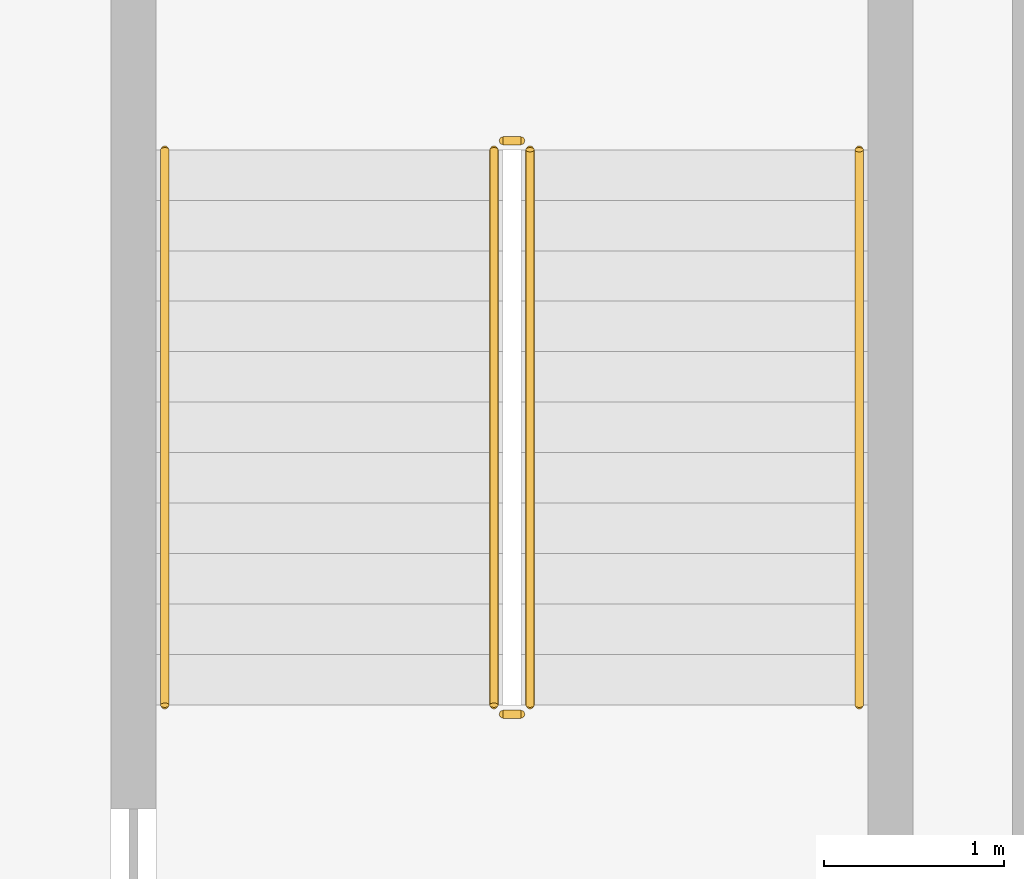
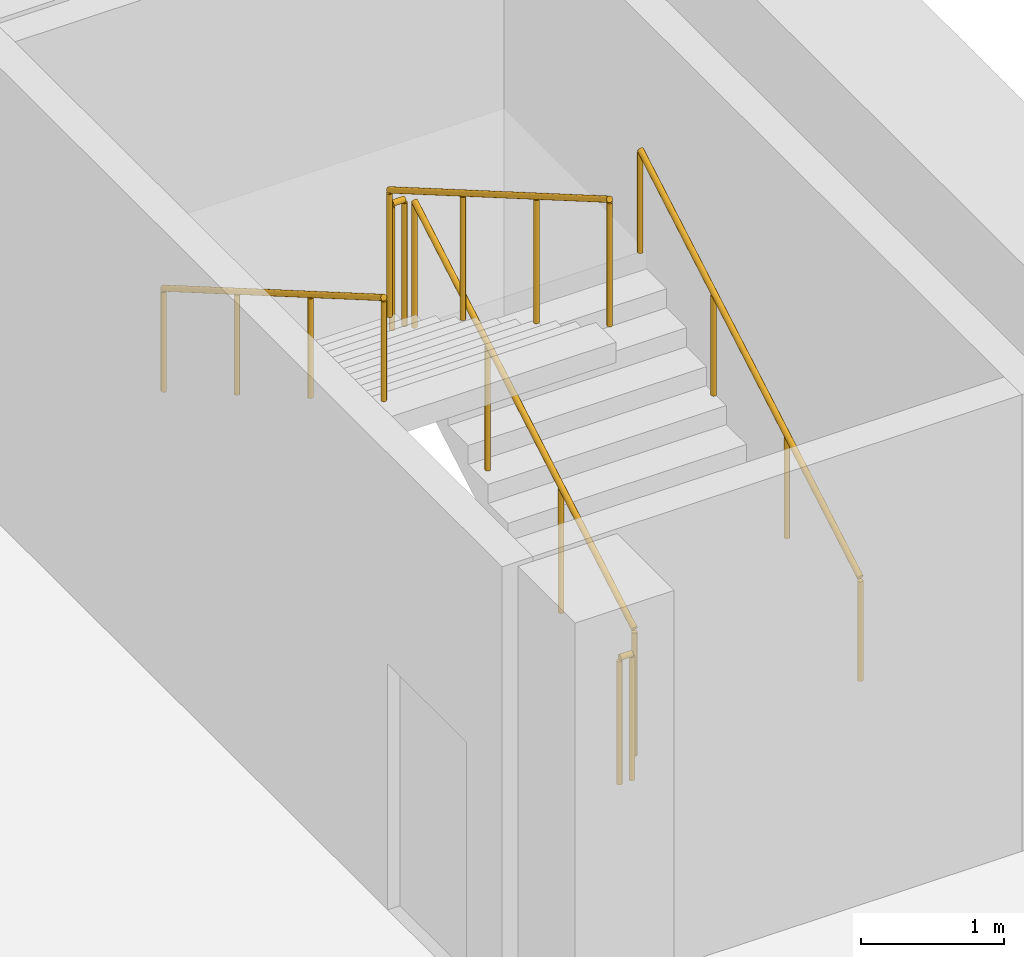
# One storey, part 24 of 25: 6 railings.
"""IFC4 building model written with IfcOpenShell, lengths in metres."""

import ifcopenshell
import ifcopenshell.guid

model = None  # the IFC model being written
_history = None  # IfcOwnerHistory: only IFC2X3 demands one
_inside = {}  # id of a spatial element -> (the spatial element, [elements in it])
_under = {}  # id of a project, library or spatial element -> (it, [spatial elements below it])
_declared = {}  # id of a project -> (the project, [libraries it declares])
_typed = {}  # id of a type object -> (the type object, [elements of that type])
_made_of = {}  # id of a material, layer set ... -> (it, [elements and type objects made of it])


def new_model(schema):
    """Start an empty IFC model of exactly this schema.

    Asked for "IFC4X3", IfcOpenShell would pick the latest addendum, in which some entities
    have other attributes; the version numbers below select the first issue.
    IFC2X3 requires an IfcOwnerHistory on every rooted entity: one is made here for all.
    """
    global model, _history
    if schema == "IFC4X3":
        model = ifcopenshell.file(schema_version=(4, 3, 0, 0))
    else:
        model = ifcopenshell.file(schema=schema)
    _inside.clear()
    _under.clear()
    _declared.clear()
    _typed.clear()
    _made_of.clear()
    _history = None
    if model.schema == "IFC2X3":
        org = make("IfcOrganization", Name="unknown")
        user = make(
            "IfcPersonAndOrganization",
            ThePerson=make("IfcPerson", FamilyName="unknown"),
            TheOrganization=org,
        )
        app = make(
            "IfcApplication",
            ApplicationDeveloper=org,
            Version="unknown",
            ApplicationFullName="unknown",
            ApplicationIdentifier="unknown",
        )
        _history = make(
            "IfcOwnerHistory",
            OwningUser=user,
            OwningApplication=app,
            ChangeAction="ADDED",
            CreationDate=0,
        )
    return model


def make(cls, **values):
    """One entity of the class cls with the attributes given. An attribute that is None is left unset."""
    return model.create_entity(
        cls, **{name: value for name, value in values.items() if value is not None}
    )


def rooted(cls, **values):
    """An entity with a GlobalId (a new one), such as an element, a storey or a relation."""
    return make(cls, GlobalId=ifcopenshell.guid.new(), OwnerHistory=_history, **values)


def si_unit(unit_type, name, prefix=None):
    """IfcSIUnit, for example si_unit("LENGTHUNIT", "METRE", prefix="MILLI")."""
    return make("IfcSIUnit", UnitType=unit_type, Prefix=prefix, Name=name)


def assignment(units):
    """IfcUnitAssignment: the units of a project."""
    return None if units is None else make("IfcUnitAssignment", Units=units)


def point(xyz):
    """IfcCartesianPoint."""
    return None if xyz is None else make("IfcCartesianPoint", Coordinates=xyz)


def direction(xyz):
    """IfcDirection."""
    return None if xyz is None else make("IfcDirection", DirectionRatios=xyz)


def frame(location, z_axis=None, x_axis=None):
    """IfcAxis2Placement3D, a coordinate frame: its origin and axes. An axis left out is left unset."""
    return make(
        "IfcAxis2Placement3D",
        Location=point(location),
        Axis=direction(z_axis),
        RefDirection=direction(x_axis),
    )


def frame_2d(location, x_axis=None):
    """IfcAxis2Placement2D, a coordinate frame in the plane: its origin and x axis."""
    return make(
        "IfcAxis2Placement2D", Location=point(location), RefDirection=direction(x_axis)
    )


def origin():
    """The frame at (0, 0, 0) with its axes left unset."""
    return frame((0.0, 0.0, 0.0))


def origin_2d():
    """The frame at (0, 0) in the plane with its x axis left unset."""
    return frame_2d((0.0, 0.0))


def place(relative_to, where):
    """IfcLocalPlacement: puts the frame where relative to a parent placement (None: the world)."""
    return make(
        "IfcLocalPlacement", PlacementRelTo=relative_to, RelativePlacement=where
    )


def context(
    kind, dimensions, precision=None, world=None, true_north=None, identifier=None
):
    """IfcGeometricRepresentationContext, for example the 3D "Model" context."""
    return make(
        "IfcGeometricRepresentationContext",
        ContextIdentifier=identifier,
        ContextType=kind,
        CoordinateSpaceDimension=dimensions,
        Precision=precision,
        WorldCoordinateSystem=world,
        TrueNorth=true_north,
    )


def subcontext(parent, identifier, kind, view, scale=None):
    """IfcGeometricRepresentationSubContext, for example "Body" below "Model"."""
    return make(
        "IfcGeometricRepresentationSubContext",
        ContextIdentifier=identifier,
        ContextType=kind,
        ParentContext=parent,
        TargetScale=scale,
        TargetView=view,
    )


def project(units=None, contexts=None):
    """IfcProject with its units and contexts."""
    return rooted(
        "IfcProject",
        Name="project",
        RepresentationContexts=contexts,
        UnitsInContext=assignment(units),
    )


def spatial(cls, under=None, at=None, **own):
    """A site, building, storey or space (cls), placed at a placement, below another one or the project."""
    s = rooted(cls, ObjectPlacement=at, **own)
    if under is not None:
        _under.setdefault(under.id(), (under, []))[1].append(s)
    return s


def profile(cls, at=None, kind="AREA", **sizes):
    """A parametric profile (cls). Its sizes go by their IFC names, for example OverallWidth=200.0."""
    return make(cls, ProfileType=kind, Position=at, **sizes)


def circle(**sizes):
    """IfcCircleProfileDef."""
    return profile("IfcCircleProfileDef", **sizes)


def extrude(swept, where, along, depth):
    """IfcExtrudedAreaSolid: the profile swept, set in the frame where, extruded along a direction by depth."""
    return make(
        "IfcExtrudedAreaSolid",
        SweptArea=swept,
        Position=where,
        ExtrudedDirection=direction(along),
        Depth=depth,
    )


def shape(context_of_items, identifier, shape_type, items):
    """IfcShapeRepresentation: the items that make up one representation, for example the "Body"."""
    return make(
        "IfcShapeRepresentation",
        ContextOfItems=context_of_items,
        RepresentationIdentifier=identifier,
        RepresentationType=shape_type,
        Items=items,
    )


def material(Name=None, Category=None):
    """IfcMaterial."""
    return make("IfcMaterial", Name=Name, Category=Category)


def made_of(thing, what):
    """Note that an element or type object is made of a material, layer set ...; save() writes the relation."""
    if what is not None:
        _made_of.setdefault(what.id(), (what, []))[1].append(thing)
    return thing


def type_object(cls, material=None, **own):
    """A type object (cls), such as IfcWallType, which elements share."""
    return made_of(rooted(cls, **own), material)


def element(
    cls,
    number,
    at=None,
    inside=None,
    cuts=None,
    type_object=None,
    material=None,
    context=None,
    identifier="Body",
    shape_type=None,
    held_by="IfcProductDefinitionShape",
    body=None,
    shapes=None,
    **own,
):
    """One element of the class cls, such as IfcWall. Its Tag is "e" and its number.

    at: its placement. inside: the storey or other place that contains it. cuts: it is an
    opening in that element (IfcRelVoidsElement). A single representation is given by context,
    identifier, shape_type and body (its items); several are given by shapes. held_by: the class
    of the entity that holds the representations. save() writes the other relations.
    """
    e = rooted(cls, Tag="e%d" % number, ObjectPlacement=at, **own)
    if body is not None:
        shapes = [shape(context, identifier, shape_type, body)]
    if shapes is not None:
        e.Representation = make(held_by, Representations=shapes)
    if inside is not None:
        _inside.setdefault(inside.id(), (inside, []))[1].append(e)
    if cuts is not None:
        rooted(
            "IfcRelVoidsElement", RelatingBuildingElement=cuts, RelatedOpeningElement=e
        )
    if type_object is not None:
        _typed.setdefault(type_object.id(), (type_object, []))[1].append(e)
    return made_of(e, material)


def aggregate(whole, parts):
    """IfcRelAggregates: a whole, such as a stair, and the parts it consists of."""
    return rooted("IfcRelAggregates", RelatingObject=whole, RelatedObjects=parts)


def save(model, path):
    """Write the relations noted so far, then the file.

    IfcRelAggregates (storeys below a building ...), IfcRelContainedInSpatialStructure (elements
    in a storey), IfcRelDefinesByType, IfcRelAssociatesMaterial and IfcRelDeclares: one each for
    every whole, place, type object, material and project.
    """
    for whole, parts in _under.values():
        aggregate(whole, parts)
    for where, things in _inside.values():
        rooted(
            "IfcRelContainedInSpatialStructure",
            RelatedElements=things,
            RelatingStructure=where,
        )
    for kind, things in _typed.values():
        rooted("IfcRelDefinesByType", RelatedObjects=things, RelatingType=kind)
    for what, things in _made_of.values():
        rooted("IfcRelAssociatesMaterial", RelatedObjects=things, RelatingMaterial=what)
    for by, libraries in _declared.values():
        rooted("IfcRelDeclares", RelatingContext=by, RelatedDefinitions=libraries)
    model.write(path)


model = new_model("IFC4")

# Units and contexts
model_context = context("Model", 3, precision=1e-05, world=origin(), true_north=direction((0.0, 1.0)))
body_context = subcontext(model_context, "Body", "Model", "MODEL_VIEW")
ifc_project = project(units=[si_unit("LENGTHUNIT", "METRE"), si_unit("AREAUNIT", "SQUARE_METRE"), si_unit("VOLUMEUNIT", "CUBIC_METRE"), si_unit("PLANEANGLEUNIT", "RADIAN"), si_unit("MASSUNIT", "GRAM", prefix="KILO")], contexts=[model_context])

# Site, building, storey
site_placement = place(None, origin())
site = spatial("IfcSite", under=ifc_project, at=site_placement, CompositionType="ELEMENT")
building_placement = place(site_placement, origin())
building = spatial("IfcBuilding", under=site, at=building_placement, Name="Verdalira Terraces Hotel", CompositionType="ELEMENT")
storey_placement = place(building_placement, frame((0.0, 0.0, -7.800049)))
storey = spatial("IfcBuildingStorey", under=building, at=storey_placement, Name="B2", CompositionType="ELEMENT", Elevation=-7.800048828125)

# Railings
ifc_material_1 = material(Name="Stainless steel", Category="steel")
railing_type_1 = type_object("IfcRailingType", Name="Stair guard 1100", PredefinedType="GUARDRAIL", material=ifc_material_1)
railing_1_placement = place(storey_placement, frame((50.324951, 27.824951, 0.162598)))
element("IfcRailing", 1, at=railing_1_placement, inside=storey, type_object=railing_type_1, Name="B2 Basement stair 5 stair guard 1", PredefinedType="GUARDRAIL", context=body_context, shape_type="SweptSolid", body=[
    extrude(circle(Radius=0.023926, at=origin_2d()), frame((0.0, 0.0, 1.076172), z_axis=(0.0, 0.864920483, 0.501908914), x_axis=(-1.0, 0.0, 0.0)), (0.0, 0.0, 1.0), 3.561035),
    extrude(circle(Radius=0.020996, at=origin_2d()), origin(), (0.0, 0.0, 1.0), 1.052002),
    extrude(circle(Radius=0.020996, at=origin_2d()), frame((0.0, 1.026611, 0.595703)), (0.0, 0.0, 1.0), 1.052002),
    extrude(circle(Radius=0.020996, at=origin_2d()), frame((0.0, 2.053467, 1.19165)), (0.0, 0.0, 1.0), 1.052002),
    extrude(circle(Radius=0.020996, at=origin_2d()), frame((0.0, 3.080078, 1.787354)), (0.0, 0.0, 1.0), 1.052002),
])
railing_2_placement = place(storey_placement, frame((50.274902, 30.955078, 1.949951)))
element("IfcRailing", 2, at=railing_2_placement, inside=storey, type_object=railing_type_1, Name="B2 Basement stair 5 stair guard 2", PredefinedType="GUARDRAIL", context=body_context, shape_type="SweptSolid", body=[
    extrude(circle(Radius=0.023926, at=origin_2d()), frame((0.0, 0.0, 1.076172), z_axis=(-1.0, 0.0, 0.0), x_axis=(0.0, -1.0, 0.0)), (0.0, 0.0, 1.0), 0.099854),
    extrude(circle(Radius=0.020996, at=origin_2d()), origin(), (0.0, 0.0, 1.0), 1.052002),
    extrude(circle(Radius=0.020996, at=origin_2d()), frame((-0.099854, 0.0, 0.0)), (0.0, 0.0, 1.0), 1.052002),
])
railing_3_placement = place(storey_placement, frame((50.125, 30.905029, 2.112549)))
element("IfcRailing", 3, at=railing_3_placement, inside=storey, type_object=railing_type_1, Name="B2 Basement stair 5 stair guard 3", PredefinedType="GUARDRAIL", context=body_context, shape_type="SweptSolid", body=[
    extrude(circle(Radius=0.023926, at=origin_2d()), frame((0.0, 0.0, 1.076172), z_axis=(0.0, -0.864890721, 0.501960198), x_axis=(1.0, 0.0, 0.0)), (0.0, 0.0, 1.0), 3.561279),
    extrude(circle(Radius=0.020996, at=origin_2d()), origin(), (0.0, 0.0, 1.0), 1.052002),
    extrude(circle(Radius=0.020996, at=origin_2d()), frame((0.0, -1.026611, 0.595947)), (0.0, 0.0, 1.0), 1.052002),
    extrude(circle(Radius=0.020996, at=origin_2d()), frame((0.0, -2.053467, 1.19165)), (0.0, 0.0, 1.0), 1.052002),
    extrude(circle(Radius=0.020996, at=origin_2d()), frame((0.0, -3.080078, 1.787598)), (0.0, 0.0, 1.0), 1.052002),
])
railing_4_placement = place(storey_placement, frame((50.274902, 27.774902, 0.0)))
element("IfcRailing", 4, at=railing_4_placement, inside=storey, type_object=railing_type_1, Name="B2 Basement stair 5 stair guard 4", PredefinedType="GUARDRAIL", context=body_context, shape_type="SweptSolid", body=[
    extrude(circle(Radius=0.023926, at=origin_2d()), frame((0.0, 0.0, 1.076172), z_axis=(-1.0, 0.0, 0.0), x_axis=(0.0, -1.0, 0.0)), (0.0, 0.0, 1.0), 0.099854),
    extrude(circle(Radius=0.020996, at=origin_2d()), origin(), (0.0, 0.0, 1.0), 1.052002),
    extrude(circle(Radius=0.020996, at=origin_2d()), frame((-0.099854, 0.0, 0.0)), (0.0, 0.0, 1.0), 1.052002),
])
ifc_material_2 = material(Name="Stainless steel", Category="steel")
railing_type_2 = type_object("IfcRailingType", Name="Stair handrail 900", PredefinedType="HANDRAIL", material=ifc_material_2)
railing_5_placement = place(storey_placement, frame((52.149902, 27.824951, 0.162598)))
element("IfcRailing", 5, at=railing_5_placement, inside=storey, type_object=railing_type_2, Name="B2 Basement stair 5 stair handrail 1", PredefinedType="HANDRAIL", context=body_context, shape_type="SweptSolid", body=[
    extrude(circle(Radius=0.023926, at=origin_2d()), frame((0.0, 0.0, 0.875977), z_axis=(0.0, 0.864920483, 0.501908914), x_axis=(-1.0, 0.0, 0.0)), (0.0, 0.0, 1.0), 3.561035),
    extrude(circle(Radius=0.020996, at=origin_2d()), origin(), (0.0, 0.0, 1.0), 0.851807),
    extrude(circle(Radius=0.020996, at=origin_2d()), frame((0.0, 1.026611, 0.595703)), (0.0, 0.0, 1.0), 0.851807),
    extrude(circle(Radius=0.020996, at=origin_2d()), frame((0.0, 2.053467, 1.19165)), (0.0, 0.0, 1.0), 0.851807),
    extrude(circle(Radius=0.020996, at=origin_2d()), frame((0.0, 3.080078, 1.787354)), (0.0, 0.0, 1.0), 0.851807),
])
railing_6_placement = place(storey_placement, frame((48.300049, 30.905029, 2.112549)))
element("IfcRailing", 6, at=railing_6_placement, inside=storey, type_object=railing_type_2, Name="B2 Basement stair 5 stair handrail 2", PredefinedType="HANDRAIL", context=body_context, shape_type="SweptSolid", body=[
    extrude(circle(Radius=0.023926, at=origin_2d()), frame((0.0, 0.0, 0.875977), z_axis=(0.0, -0.864890721, 0.501960198), x_axis=(1.0, 0.0, 0.0)), (0.0, 0.0, 1.0), 3.561279),
    extrude(circle(Radius=0.020996, at=origin_2d()), origin(), (0.0, 0.0, 1.0), 0.851807),
    extrude(circle(Radius=0.020996, at=origin_2d()), frame((0.0, -1.026611, 0.595947)), (0.0, 0.0, 1.0), 0.851807),
    extrude(circle(Radius=0.020996, at=origin_2d()), frame((0.0, -2.053467, 1.19165)), (0.0, 0.0, 1.0), 0.851807),
    extrude(circle(Radius=0.020996, at=origin_2d()), frame((0.0, -3.080078, 1.787598)), (0.0, 0.0, 1.0), 0.851807),
])

save(model, "model.ifc")
